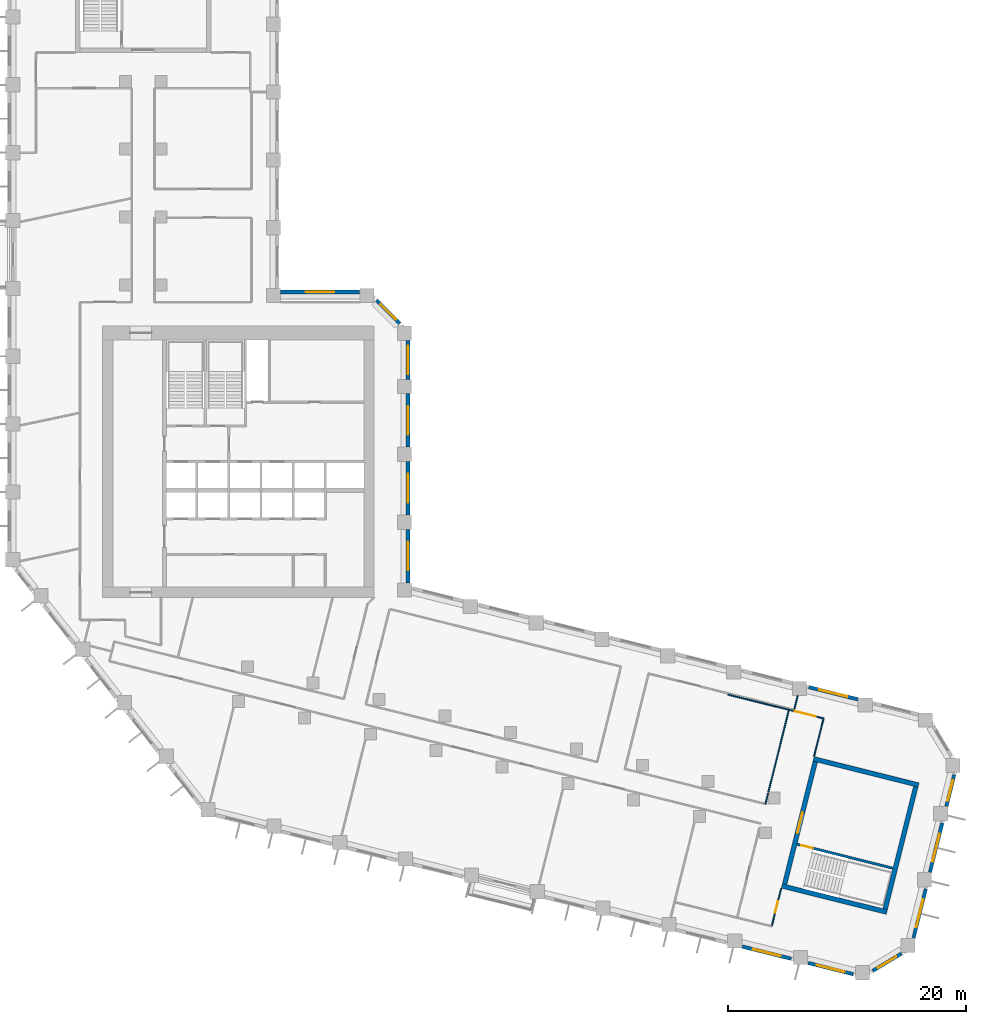
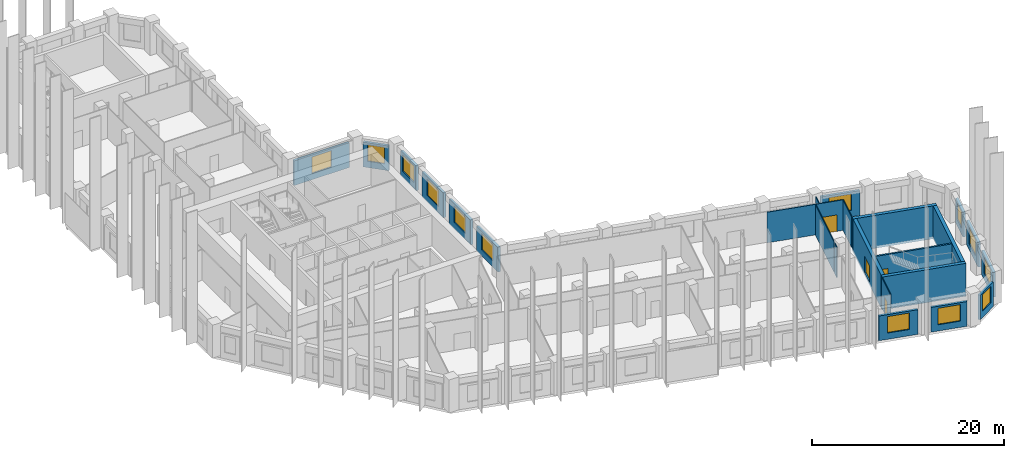
# One storey, part 6 of 10: 25 walls, 13 windows, 4 doors, 17 openings.
"""IFC4 building model written with IfcOpenShell, lengths in metres."""

from ifc_helpers import new_model, si_unit, direction, frame, frame_2d, origin, place, context, subcontext, project, spatial, rectangle, extrude, material, layer, layer_set, type_object, element, fill, save


model = new_model("IFC4")

# Units and contexts
model_context = context("Model", 3, precision=1e-05, world=origin(), true_north=direction((0.0, 1.0)))
body_context = subcontext(model_context, "Body", "Model", "MODEL_VIEW")
ifc_project = project(units=[si_unit("LENGTHUNIT", "METRE"), si_unit("AREAUNIT", "SQUARE_METRE"), si_unit("VOLUMEUNIT", "CUBIC_METRE"), si_unit("PLANEANGLEUNIT", "RADIAN"), si_unit("MASSUNIT", "GRAM", prefix="KILO")], contexts=[model_context])

# Site, building, storey
site_placement = place(None, origin())
site = spatial("IfcSite", under=ifc_project, at=site_placement, CompositionType="ELEMENT")
building_placement = place(site_placement, origin())
building = spatial("IfcBuilding", under=site, at=building_placement, Name="Meshkara Civic Tower", CompositionType="ELEMENT")
storey_placement = place(building_placement, frame((0.0, 0.0, 178.199951171875)))
storey = spatial("IfcBuildingStorey", under=building, at=storey_placement, Name="L40", CompositionType="ELEMENT", Elevation=178.199951171875)

# Wall
ifc_material_1 = material(Name="Corridor wall 100")
ifc_layer_1 = layer(ifc_material_1, 0.10009765625)
ifc_layer_set_1 = layer_set([ifc_layer_1], Name="Corridor wall 100")
wall_type_1 = type_object("IfcWallType", Name="Corridor wall 100", PredefinedType="PARTITIONING", material=ifc_layer_set_1)
wall_1_placement = place(storey_placement, frame((63.89501953125, -2.37109375, 0.0), z_axis=(0.0, 0.0, 1.0), x_axis=(-0.241969389514, -0.970283883478, 0.0)))
element("IfcWall", 1, at=wall_1_placement, inside=storey, type_object=wall_type_1, Name="L40-W037", PredefinedType="PARTITIONING", context=body_context, shape_type="SweptSolid", body=[
    extrude(rectangle(XDim=0.9130859375, YDim=0.10009765625, at=frame_2d((0.45654296875, 0.0))), origin(), (0.0, 0.0, 1.0), 3.900146484375),
])

# Wall, opening, door
wall_2_placement = place(storey_placement, frame((64.202880859375, -13.533935546875, 0.0), z_axis=(0.0, 0.0, 1.0), x_axis=(0.241856645367, 0.970311992656, 0.0)))
wall_2 = element("IfcWall", 2, at=wall_2_placement, inside=storey, type_object=wall_type_1, Name="L40-W038", PredefinedType="PARTITIONING", context=body_context, shape_type="SweptSolid", body=[
    extrude(rectangle(XDim=3.2998046875, YDim=0.10009765625, at=frame_2d((1.64990234375, 0.0))), origin(), (0.0, 0.0, 1.0), 3.900146484375),
])
opening_1_placement = place(wall_2_placement, frame((1.179931640625, 0.0, 0.0)))
opening_1 = element("IfcOpeningElement", 3, at=opening_1_placement, cuts=wall_2, Name="Opening L40-D002", PredefinedType="OPENING", context=body_context, shape_type="SweptSolid", body=[
    extrude(rectangle(XDim=1.0, YDim=2.10009765625, at=frame_2d((0.5, 1.050048828125))), frame((0.0, 0.06005859375, 0.0), z_axis=(0.0, -1.0, 0.0), x_axis=(1.0, 0.0, 0.0)), (0.0, 0.0, 1.0), 0.1201171875),
])
ifc_material_2 = material(Name="Door 1000 x 2100")
door_type_1 = type_object("IfcDoorType", Name="Door 1000 x 2100", OperationType="SINGLE_SWING_LEFT", PredefinedType="DOOR", material=ifc_material_2)
door_1_placement = place(opening_1_placement, origin())
door_1 = element("IfcDoor", 4, at=door_1_placement, inside=storey, type_object=door_type_1, Name="L40-D002", OperationType="SINGLE_SWING_LEFT", OverallHeight=2.10009765625, OverallWidth=1.0, PredefinedType="DOOR", context=body_context, shape_type="SweptSolid", body=[
    extrude(rectangle(XDim=1.0, YDim=2.10009765625, at=frame_2d((0.5, 1.050048828125))), frame((0.0, 0.02490234375, 0.0), z_axis=(0.0, -1.0, 0.0), x_axis=(1.0, 0.0, 0.0)), (0.0, 0.0, 1.0), 0.050048828125),
])
fill(opening_1, door_1)

# Walls
wall_3_placement = place(storey_placement, frame((65.64697265625, 4.656982421875, 0.0), z_axis=(0.0, 0.0, 1.0), x_axis=(-0.24192324031, -0.970295391001, 0.0)))
element("IfcWall", 5, at=wall_3_placement, inside=storey, type_object=wall_type_1, Name="L40-W039", PredefinedType="PARTITIONING", context=body_context, shape_type="SweptSolid", body=[
    extrude(rectangle(XDim=7.129638671875, YDim=0.10009765625, at=frame_2d((3.56494140625, 0.0))), origin(), (0.0, 0.0, 1.0), 3.900146484375),
])
wall_4_placement = place(storey_placement, frame((66.0869140625, 4.64990234375, 0.0), z_axis=(0.0, 0.0, 1.0), x_axis=(0.241275920452, 0.970456557611, 0.0)))
element("IfcWall", 6, at=wall_4_placement, inside=storey, type_object=wall_type_1, Name="L40-W040", PredefinedType="PARTITIONING", context=body_context, shape_type="SweptSolid", body=[
    extrude(rectangle(XDim=1.2314453125, YDim=0.10009765625, at=frame_2d((0.61572265625, 0.0))), origin(), (0.0, 0.0, 1.0), 3.900146484375),
])
wall_5_placement = place(storey_placement, frame((67.759033203125, 0.72900390625, 0.0), z_axis=(0.0, 0.0, 1.0), x_axis=(0.241786986316, 0.970329352977, 0.0)))
element("IfcWall", 7, at=wall_5_placement, inside=storey, type_object=wall_type_1, Name="L40-W041", PredefinedType="PARTITIONING", context=body_context, shape_type="SweptSolid", body=[
    extrude(rectangle(XDim=3.2998046875, YDim=0.10009765625, at=frame_2d((1.64990234375, 0.0))), origin(), (0.0, 0.0, 1.0), 3.900146484375),
])

# Wall, opening, door
wall_6_placement = place(storey_placement, frame((68.556884765625, 3.930908203125, 0.0), z_axis=(0.0, 0.0, 1.0), x_axis=(-0.970252534748, 0.242095061527, 0.0)))
wall_6 = element("IfcWall", 8, at=wall_6_placement, inside=storey, type_object=wall_type_1, Name="L40-W042", PredefinedType="PARTITIONING", context=body_context, shape_type="SweptSolid", body=[
    extrude(rectangle(XDim=2.9990234375, YDim=0.10009765625, at=frame_2d((1.49951171875, 0.0))), origin(), (0.0, 0.0, 1.0), 3.900146484375),
])
opening_2_placement = place(wall_6_placement, frame((0.679931640625, 0.0, 0.0)))
opening_2 = element("IfcOpeningElement", 9, at=opening_2_placement, cuts=wall_6, Name="Opening L40-D008", PredefinedType="OPENING", context=body_context, shape_type="SweptSolid", body=[
    extrude(rectangle(XDim=1.800048828125, YDim=2.10009765625, at=frame_2d((0.89990234375, 1.050048828125))), frame((0.0, 0.06005859375, 0.0), z_axis=(0.0, -1.0, 0.0), x_axis=(1.0, 0.0, 0.0)), (0.0, 0.0, 1.0), 0.1201171875),
])
ifc_material_3 = material(Name="Door pair 1800 x 2100")
door_type_2 = type_object("IfcDoorType", Name="Door pair 1800 x 2100", OperationType="SINGLE_SWING_LEFT", PredefinedType="DOOR", material=ifc_material_3)
door_2_placement = place(opening_2_placement, origin())
door_2 = element("IfcDoor", 10, at=door_2_placement, inside=storey, type_object=door_type_2, Name="L40-D008", OperationType="DOUBLE_DOOR_SINGLE_SWING", OverallHeight=2.10009765625, OverallWidth=1.800048828125, PredefinedType="DOOR", context=body_context, shape_type="SweptSolid", body=[
    extrude(rectangle(XDim=1.800048828125, YDim=2.10009765625, at=frame_2d((0.89990234375, 1.050048828125))), frame((0.0, 0.02490234375, 0.0), z_axis=(0.0, -1.0, 0.0), x_axis=(1.0, 0.0, 0.0)), (0.0, 0.0, 1.0), 0.050048828125),
])
fill(opening_2, door_2)

# Wall, opening, window
ifc_material_4 = material(Name="Insulated infill panel with bronze anodised aluminium cladding", Category="aluminium")
ifc_layer_2 = layer(ifc_material_4, 0.300048828125)
ifc_layer_set_2 = layer_set([ifc_layer_2], Name="EXTERNAL INFILL WALL 300")
wall_type_2 = type_object("IfcWallType", Name="EXTERNAL INFILL WALL 300", PredefinedType="SOLIDWALL", material=ifc_layer_set_2)
wall_7_placement = place(storey_placement, frame((71.431884765625, 5.532958984375, 0.0), z_axis=(0.0, 0.0, 1.0), x_axis=(-0.970301260502, 0.241899697951, 0.0)))
wall_7 = element("IfcWall", 11, at=wall_7_placement, inside=storey, type_object=wall_type_2, Name="External wall", PredefinedType="SOLIDWALL", context=body_context, shape_type="SweptSolid", body=[
    extrude(rectangle(XDim=4.24609375, YDim=0.300048828125, at=frame_2d((2.123046875, 0.0))), origin(), (0.0, 0.0, 1.0), 3.150146484375),
])
opening_3_placement = place(wall_7_placement, frame((0.923095703125, 0.0, 0.800048828125)))
opening_3 = element("IfcOpeningElement", 12, at=opening_3_placement, cuts=wall_7, Name="Opening W7", PredefinedType="OPENING", context=body_context, shape_type="SweptSolid", body=[
    extrude(rectangle(XDim=2.39990234375, YDim=2.10009765625, at=frame_2d((1.199951171875, 1.050048828125))), frame((0.0, 0.159912109375, 0.0), z_axis=(0.0, -1.0, 0.0), x_axis=(1.0, 0.0, 0.0)), (0.0, 0.0, 1.0), 0.320068359375),
])
ifc_material_5 = material(Name="Tinted double glazing", Category="glass")
window_type_1 = type_object("IfcWindowType", Name="WINDOW 2400x2100", PartitioningType="DOUBLE_PANEL_VERTICAL", PredefinedType="WINDOW", material=ifc_material_5)
window_1_placement = place(opening_3_placement, origin())
window_1 = element("IfcWindow", 13, at=window_1_placement, inside=storey, type_object=window_type_1, Name="Window", OverallHeight=2.10009765625, OverallWidth=2.39990234375, PartitioningType="DOUBLE_PANEL_VERTICAL", PredefinedType="WINDOW", context=body_context, shape_type="SweptSolid", body=[
    extrude(rectangle(XDim=2.39990234375, YDim=2.10009765625, at=frame_2d((1.199951171875, 1.050048828125))), frame((0.0, 0.030029296875, 0.0), z_axis=(0.0, -1.0, 0.0), x_axis=(1.0, 0.0, 0.0)), (0.0, 0.0, 1.0), 0.06005859375),
])
fill(opening_3, window_1)

wall_8_placement = place(storey_placement, frame((33.64990234375, 15.319091796875, 0.0), z_axis=(0.0, 0.0, 1.0), x_axis=(0.0, 1.0, 0.0)))
wall_8 = element("IfcWall", 14, at=wall_8_placement, inside=storey, type_object=wall_type_2, Name="External wall", PredefinedType="SOLIDWALL", context=body_context, shape_type="SweptSolid", body=[
    extrude(rectangle(XDim=4.5, YDim=0.300048828125, at=frame_2d((2.25, 0.0))), origin(), (0.0, 0.0, 1.0), 3.150146484375),
])
opening_4_placement = place(wall_8_placement, frame((1.050048828125, 0.0, 0.800048828125)))
opening_4 = element("IfcOpeningElement", 15, at=opening_4_placement, cuts=wall_8, Name="Opening W7", PredefinedType="OPENING", context=body_context, shape_type="SweptSolid", body=[
    extrude(rectangle(XDim=2.39990234375, YDim=2.10009765625, at=frame_2d((1.199951171875, 1.050048828125))), frame((0.0, 0.159912109375, 0.0), z_axis=(0.0, -1.0, 0.0), x_axis=(1.0, 0.0, 0.0)), (0.0, 0.0, 1.0), 0.320068359375),
])
window_2_placement = place(opening_4_placement, origin())
window_2 = element("IfcWindow", 16, at=window_2_placement, inside=storey, type_object=window_type_1, Name="Window", OverallHeight=2.10009765625, OverallWidth=2.39990234375, PartitioningType="DOUBLE_PANEL_VERTICAL", PredefinedType="WINDOW", context=body_context, shape_type="SweptSolid", body=[
    extrude(rectangle(XDim=2.39990234375, YDim=2.10009765625, at=frame_2d((1.199951171875, 1.050048828125))), frame((0.0, 0.030029296875, 0.0), z_axis=(0.0, -1.0, 0.0), x_axis=(1.0, 0.0, 0.0)), (0.0, 0.0, 1.0), 0.06005859375),
])
fill(opening_4, window_2)

wall_9_placement = place(storey_placement, frame((33.64990234375, 21.01904296875, 0.0), z_axis=(0.0, 0.0, 1.0), x_axis=(0.0, 1.0, 0.0)))
wall_9 = element("IfcWall", 17, at=wall_9_placement, inside=storey, type_object=wall_type_2, Name="External wall", PredefinedType="SOLIDWALL", context=body_context, shape_type="SweptSolid", body=[
    extrude(rectangle(XDim=4.5, YDim=0.300048828125, at=frame_2d((2.25, 0.0))), origin(), (0.0, 0.0, 1.0), 3.150146484375),
])
opening_5_placement = place(wall_9_placement, frame((1.050048828125, 0.0, 0.800048828125)))
opening_5 = element("IfcOpeningElement", 18, at=opening_5_placement, cuts=wall_9, Name="Opening W7", PredefinedType="OPENING", context=body_context, shape_type="SweptSolid", body=[
    extrude(rectangle(XDim=2.39990234375, YDim=2.10009765625, at=frame_2d((1.199951171875, 1.050048828125))), frame((0.0, 0.159912109375, 0.0), z_axis=(0.0, -1.0, 0.0), x_axis=(1.0, 0.0, 0.0)), (0.0, 0.0, 1.0), 0.320068359375),
])
window_3_placement = place(opening_5_placement, origin())
window_3 = element("IfcWindow", 19, at=window_3_placement, inside=storey, type_object=window_type_1, Name="Window", OverallHeight=2.10009765625, OverallWidth=2.39990234375, PartitioningType="DOUBLE_PANEL_VERTICAL", PredefinedType="WINDOW", context=body_context, shape_type="SweptSolid", body=[
    extrude(rectangle(XDim=2.39990234375, YDim=2.10009765625, at=frame_2d((1.199951171875, 1.050048828125))), frame((0.0, 0.030029296875, 0.0), z_axis=(0.0, -1.0, 0.0), x_axis=(1.0, 0.0, 0.0)), (0.0, 0.0, 1.0), 0.06005859375),
])
fill(opening_5, window_3)

wall_10_placement = place(storey_placement, frame((33.64990234375, 26.718994140625, 0.0), z_axis=(0.0, 0.0, 1.0), x_axis=(0.0, 1.0, 0.0)))
wall_10 = element("IfcWall", 20, at=wall_10_placement, inside=storey, type_object=wall_type_2, Name="External wall", PredefinedType="SOLIDWALL", context=body_context, shape_type="SweptSolid", body=[
    extrude(rectangle(XDim=4.5, YDim=0.300048828125, at=frame_2d((2.25, 0.0))), origin(), (0.0, 0.0, 1.0), 3.150146484375),
])
opening_6_placement = place(wall_10_placement, frame((1.050048828125, 0.0, 0.800048828125)))
opening_6 = element("IfcOpeningElement", 21, at=opening_6_placement, cuts=wall_10, Name="Opening W7", PredefinedType="OPENING", context=body_context, shape_type="SweptSolid", body=[
    extrude(rectangle(XDim=2.39990234375, YDim=2.10009765625, at=frame_2d((1.199951171875, 1.050048828125))), frame((0.0, 0.159912109375, 0.0), z_axis=(0.0, -1.0, 0.0), x_axis=(1.0, 0.0, 0.0)), (0.0, 0.0, 1.0), 0.320068359375),
])
window_4_placement = place(opening_6_placement, origin())
window_4 = element("IfcWindow", 22, at=window_4_placement, inside=storey, type_object=window_type_1, Name="Window", OverallHeight=2.10009765625, OverallWidth=2.39990234375, PartitioningType="DOUBLE_PANEL_VERTICAL", PredefinedType="WINDOW", context=body_context, shape_type="SweptSolid", body=[
    extrude(rectangle(XDim=2.39990234375, YDim=2.10009765625, at=frame_2d((1.199951171875, 1.050048828125))), frame((0.0, 0.030029296875, 0.0), z_axis=(0.0, -1.0, 0.0), x_axis=(1.0, 0.0, 0.0)), (0.0, 0.0, 1.0), 0.06005859375),
])
fill(opening_6, window_4)

wall_11_placement = place(storey_placement, frame((33.64990234375, 32.4189453125, 0.0), z_axis=(0.0, 0.0, 1.0), x_axis=(0.0, 1.0, 0.0)))
wall_11 = element("IfcWall", 23, at=wall_11_placement, inside=storey, type_object=wall_type_2, Name="External wall", PredefinedType="SOLIDWALL", context=body_context, shape_type="SweptSolid", body=[
    extrude(rectangle(XDim=3.275146484375, YDim=0.300048828125, at=frame_2d((1.6376953125, 0.0))), origin(), (0.0, 0.0, 1.0), 3.150146484375),
])
opening_7_placement = place(wall_11_placement, frame((0.43798828125, 0.0, 0.800048828125)))
opening_7 = element("IfcOpeningElement", 24, at=opening_7_placement, cuts=wall_11, Name="Opening W7", PredefinedType="OPENING", context=body_context, shape_type="SweptSolid", body=[
    extrude(rectangle(XDim=2.39990234375, YDim=2.10009765625, at=frame_2d((1.199951171875, 1.050048828125))), frame((0.0, 0.159912109375, 0.0), z_axis=(0.0, -1.0, 0.0), x_axis=(1.0, 0.0, 0.0)), (0.0, 0.0, 1.0), 0.320068359375),
])
window_5_placement = place(opening_7_placement, origin())
window_5 = element("IfcWindow", 25, at=window_5_placement, inside=storey, type_object=window_type_1, Name="Window", OverallHeight=2.10009765625, OverallWidth=2.39990234375, PartitioningType="DOUBLE_PANEL_VERTICAL", PredefinedType="WINDOW", context=body_context, shape_type="SweptSolid", body=[
    extrude(rectangle(XDim=2.39990234375, YDim=2.10009765625, at=frame_2d((1.199951171875, 1.050048828125))), frame((0.0, 0.030029296875, 0.0), z_axis=(0.0, -1.0, 0.0), x_axis=(1.0, 0.0, 0.0)), (0.0, 0.0, 1.0), 0.06005859375),
])
fill(opening_7, window_5)

wall_12_placement = place(storey_placement, frame((32.9619140625, 37.10595703125, 0.0), z_axis=(0.0, 0.0, 1.0), x_axis=(-0.707062649074, 0.707150910545, 0.0)))
wall_12 = element("IfcWall", 26, at=wall_12_placement, inside=storey, type_object=wall_type_2, Name="External wall", PredefinedType="SOLIDWALL", context=body_context, shape_type="SweptSolid", body=[
    extrude(rectangle(XDim=2.76611328125, YDim=0.300048828125, at=frame_2d((1.383056640625, 0.0))), origin(), (0.0, 0.0, 1.0), 3.150146484375),
])
opening_8_placement = place(wall_12_placement, frame((0.48291015625, 0.0, 0.800048828125)))
opening_8 = element("IfcOpeningElement", 27, at=opening_8_placement, cuts=wall_12, Name="Opening W9", PredefinedType="OPENING", context=body_context, shape_type="SweptSolid", body=[
    extrude(rectangle(XDim=1.800048828125, YDim=2.10009765625, at=frame_2d((0.89990234375, 1.050048828125))), frame((0.0, 0.159912109375, 0.0), z_axis=(0.0, -1.0, 0.0), x_axis=(1.0, 0.0, 0.0)), (0.0, 0.0, 1.0), 0.320068359375),
])
ifc_material_6 = material(Name="Tinted double glazing", Category="glass")
window_type_2 = type_object("IfcWindowType", Name="WINDOW 1800x2100", PartitioningType="DOUBLE_PANEL_VERTICAL", PredefinedType="WINDOW", material=ifc_material_6)
window_6_placement = place(opening_8_placement, origin())
window_6 = element("IfcWindow", 28, at=window_6_placement, inside=storey, type_object=window_type_2, Name="Window", OverallHeight=2.10009765625, OverallWidth=1.800048828125, PartitioningType="DOUBLE_PANEL_VERTICAL", PredefinedType="WINDOW", context=body_context, shape_type="SweptSolid", body=[
    extrude(rectangle(XDim=1.800048828125, YDim=2.10009765625, at=frame_2d((0.89990234375, 1.050048828125))), frame((0.0, 0.030029296875, 0.0), z_axis=(0.0, -1.0, 0.0), x_axis=(1.0, 0.0, 0.0)), (0.0, 0.0, 1.0), 0.06005859375),
])
fill(opening_8, window_6)

wall_13_placement = place(storey_placement, frame((29.593994140625, 39.75, 0.0), z_axis=(0.0, 0.0, 1.0), x_axis=(-1.0, 0.0, 0.0)))
wall_13 = element("IfcWall", 29, at=wall_13_placement, inside=storey, type_object=wall_type_2, Name="External wall", PredefinedType="SOLIDWALL", context=body_context, shape_type="SweptSolid", body=[
    extrude(rectangle(XDim=6.64404296875, YDim=0.300048828125, at=frame_2d((3.322021484375, 0.0))), origin(), (0.0, 0.0, 1.0), 3.150146484375),
])
opening_9_placement = place(wall_13_placement, frame((2.1220703125, 0.0, 0.800048828125)))
opening_9 = element("IfcOpeningElement", 30, at=opening_9_placement, cuts=wall_13, Name="Opening W7", PredefinedType="OPENING", context=body_context, shape_type="SweptSolid", body=[
    extrude(rectangle(XDim=2.39990234375, YDim=2.10009765625, at=frame_2d((1.199951171875, 1.050048828125))), frame((0.0, 0.159912109375, 0.0), z_axis=(0.0, -1.0, 0.0), x_axis=(1.0, 0.0, 0.0)), (0.0, 0.0, 1.0), 0.320068359375),
])
window_7_placement = place(opening_9_placement, origin())
window_7 = element("IfcWindow", 31, at=window_7_placement, inside=storey, type_object=window_type_1, Name="Window", OverallHeight=2.10009765625, OverallWidth=2.39990234375, PartitioningType="DOUBLE_PANEL_VERTICAL", PredefinedType="WINDOW", context=body_context, shape_type="SweptSolid", body=[
    extrude(rectangle(XDim=2.39990234375, YDim=2.10009765625, at=frame_2d((1.199951171875, 1.050048828125))), frame((0.0, 0.030029296875, 0.0), z_axis=(0.0, -1.0, 0.0), x_axis=(1.0, 0.0, 0.0)), (0.0, 0.0, 1.0), 0.06005859375),
])
fill(opening_9, window_7)

wall_14_placement = place(storey_placement, frame((61.72998046875, -15.236083984375, 0.0), z_axis=(0.0, 0.0, 1.0), x_axis=(0.970304663212, -0.241886048688, 0.0)))
wall_14 = element("IfcWall", 32, at=wall_14_placement, inside=storey, type_object=wall_type_2, Name="External wall", PredefinedType="SOLIDWALL", context=body_context, shape_type="SweptSolid", body=[
    extrude(rectangle(XDim=4.2451171875, YDim=0.300048828125, at=frame_2d((2.12255859375, 0.0))), origin(), (0.0, 0.0, 1.0), 3.150146484375),
])
opening_10_placement = place(wall_14_placement, frame((0.922119140625, 0.0, 0.800048828125)))
opening_10 = element("IfcOpeningElement", 33, at=opening_10_placement, cuts=wall_14, Name="Opening W7", PredefinedType="OPENING", context=body_context, shape_type="SweptSolid", body=[
    extrude(rectangle(XDim=2.39990234375, YDim=2.10009765625, at=frame_2d((1.199951171875, 1.050048828125))), frame((0.0, 0.159912109375, 0.0), z_axis=(0.0, -1.0, 0.0), x_axis=(1.0, 0.0, 0.0)), (0.0, 0.0, 1.0), 0.320068359375),
])
window_8_placement = place(opening_10_placement, origin())
window_8 = element("IfcWindow", 34, at=window_8_placement, inside=storey, type_object=window_type_1, Name="Window", OverallHeight=2.10009765625, OverallWidth=2.39990234375, PartitioningType="DOUBLE_PANEL_VERTICAL", PredefinedType="WINDOW", context=body_context, shape_type="SweptSolid", body=[
    extrude(rectangle(XDim=2.39990234375, YDim=2.10009765625, at=frame_2d((1.199951171875, 1.050048828125))), frame((0.0, 0.030029296875, 0.0), z_axis=(0.0, -1.0, 0.0), x_axis=(1.0, 0.0, 0.0)), (0.0, 0.0, 1.0), 0.06005859375),
])
fill(opening_10, window_8)

wall_15_placement = place(storey_placement, frame((67.260009765625, -16.614990234375, 0.0), z_axis=(0.0, 0.0, 1.0), x_axis=(0.97033344074, -0.241770580885, 0.0)))
wall_15 = element("IfcWall", 35, at=wall_15_placement, inside=storey, type_object=wall_type_2, Name="External wall", PredefinedType="SOLIDWALL", context=body_context, shape_type="SweptSolid", body=[
    extrude(rectangle(XDim=3.905029296875, YDim=0.300048828125, at=frame_2d((1.95263671875, 0.0))), origin(), (0.0, 0.0, 1.0), 3.150146484375),
])
opening_11_placement = place(wall_15_placement, frame((0.751953125, 0.0, 0.800048828125)))
opening_11 = element("IfcOpeningElement", 36, at=opening_11_placement, cuts=wall_15, Name="Opening W7", PredefinedType="OPENING", context=body_context, shape_type="SweptSolid", body=[
    extrude(rectangle(XDim=2.39990234375, YDim=2.10009765625, at=frame_2d((1.199951171875, 1.050048828125))), frame((0.0, 0.159912109375, 0.0), z_axis=(0.0, -1.0, 0.0), x_axis=(1.0, 0.0, 0.0)), (0.0, 0.0, 1.0), 0.320068359375),
])
window_9_placement = place(opening_11_placement, origin())
window_9 = element("IfcWindow", 37, at=window_9_placement, inside=storey, type_object=window_type_1, Name="Window", OverallHeight=2.10009765625, OverallWidth=2.39990234375, PartitioningType="DOUBLE_PANEL_VERTICAL", PredefinedType="WINDOW", context=body_context, shape_type="SweptSolid", body=[
    extrude(rectangle(XDim=2.39990234375, YDim=2.10009765625, at=frame_2d((1.199951171875, 1.050048828125))), frame((0.0, 0.030029296875, 0.0), z_axis=(0.0, -1.0, 0.0), x_axis=(1.0, 0.0, 0.0)), (0.0, 0.0, 1.0), 0.06005859375),
])
fill(opening_11, window_9)

wall_16_placement = place(storey_placement, frame((72.68701171875, -17.277099609375, 0.0), z_axis=(0.0, 0.0, 1.0), x_axis=(0.857309341171, 0.514801606, 0.0)))
wall_16 = element("IfcWall", 38, at=wall_16_placement, inside=storey, type_object=wall_type_2, Name="External wall", PredefinedType="SOLIDWALL", context=body_context, shape_type="SweptSolid", body=[
    extrude(rectangle(XDim=2.81689453125, YDim=0.300048828125, at=frame_2d((1.408447265625, 0.0))), origin(), (0.0, 0.0, 1.0), 3.150146484375),
])
opening_12_placement = place(wall_16_placement, frame((0.508056640625, 0.0, 0.800048828125)))
opening_12 = element("IfcOpeningElement", 39, at=opening_12_placement, cuts=wall_16, Name="Opening W9", PredefinedType="OPENING", context=body_context, shape_type="SweptSolid", body=[
    extrude(rectangle(XDim=1.800048828125, YDim=2.10009765625, at=frame_2d((0.89990234375, 1.050048828125))), frame((0.0, 0.159912109375, 0.0), z_axis=(0.0, -1.0, 0.0), x_axis=(1.0, 0.0, 0.0)), (0.0, 0.0, 1.0), 0.320068359375),
])
window_10_placement = place(opening_12_placement, origin())
window_10 = element("IfcWindow", 40, at=window_10_placement, inside=storey, type_object=window_type_2, Name="Window", OverallHeight=2.10009765625, OverallWidth=1.800048828125, PartitioningType="DOUBLE_PANEL_VERTICAL", PredefinedType="WINDOW", context=body_context, shape_type="SweptSolid", body=[
    extrude(rectangle(XDim=1.800048828125, YDim=2.10009765625, at=frame_2d((0.89990234375, 1.050048828125))), frame((0.0, 0.030029296875, 0.0), z_axis=(0.0, -1.0, 0.0), x_axis=(1.0, 0.0, 0.0)), (0.0, 0.0, 1.0), 0.06005859375),
])
fill(opening_12, window_10)

wall_17_placement = place(storey_placement, frame((76.12109375, -14.511962890625, 0.0), z_axis=(0.0, 0.0, 1.0), x_axis=(0.241845562088, 0.970314755169, 0.0)))
wall_17 = element("IfcWall", 41, at=wall_17_placement, inside=storey, type_object=wall_type_2, Name="External wall", PredefinedType="SOLIDWALL", context=body_context, shape_type="SweptSolid", body=[
    extrude(rectangle(XDim=4.245849609375, YDim=0.300048828125, at=frame_2d((2.123046875, 0.0))), origin(), (0.0, 0.0, 1.0), 3.150146484375),
])
opening_13_placement = place(wall_17_placement, frame((0.923095703125, 0.0, 0.800048828125)))
opening_13 = element("IfcOpeningElement", 42, at=opening_13_placement, cuts=wall_17, Name="Opening W7", PredefinedType="OPENING", context=body_context, shape_type="SweptSolid", body=[
    extrude(rectangle(XDim=2.39990234375, YDim=2.10009765625, at=frame_2d((1.199951171875, 1.050048828125))), frame((0.0, 0.159912109375, 0.0), z_axis=(0.0, -1.0, 0.0), x_axis=(1.0, 0.0, 0.0)), (0.0, 0.0, 1.0), 0.320068359375),
])
window_11_placement = place(opening_13_placement, origin())
window_11 = element("IfcWindow", 43, at=window_11_placement, inside=storey, type_object=window_type_1, Name="Window", OverallHeight=2.10009765625, OverallWidth=2.39990234375, PartitioningType="DOUBLE_PANEL_VERTICAL", PredefinedType="WINDOW", context=body_context, shape_type="SweptSolid", body=[
    extrude(rectangle(XDim=2.39990234375, YDim=2.10009765625, at=frame_2d((1.199951171875, 1.050048828125))), frame((0.0, 0.030029296875, 0.0), z_axis=(0.0, -1.0, 0.0), x_axis=(1.0, 0.0, 0.0)), (0.0, 0.0, 1.0), 0.06005859375),
])
fill(opening_13, window_11)

wall_18_placement = place(storey_placement, frame((77.5, -8.98095703125, 0.0), z_axis=(0.0, 0.0, 1.0), x_axis=(0.241682938765, 0.970355273655, 0.0)))
wall_18 = element("IfcWall", 44, at=wall_18_placement, inside=storey, type_object=wall_type_2, Name="External wall", PredefinedType="SOLIDWALL", context=body_context, shape_type="SweptSolid", body=[
    extrude(rectangle(XDim=4.24462890625, YDim=0.300048828125, at=frame_2d((2.122314453125, 0.0))), origin(), (0.0, 0.0, 1.0), 3.150146484375),
])
opening_14_placement = place(wall_18_placement, frame((0.922119140625, 0.0, 0.800048828125)))
opening_14 = element("IfcOpeningElement", 45, at=opening_14_placement, cuts=wall_18, Name="Opening W7", PredefinedType="OPENING", context=body_context, shape_type="SweptSolid", body=[
    extrude(rectangle(XDim=2.39990234375, YDim=2.10009765625, at=frame_2d((1.199951171875, 1.050048828125))), frame((0.0, 0.159912109375, 0.0), z_axis=(0.0, -1.0, 0.0), x_axis=(1.0, 0.0, 0.0)), (0.0, 0.0, 1.0), 0.320068359375),
])
window_12_placement = place(opening_14_placement, origin())
window_12 = element("IfcWindow", 46, at=window_12_placement, inside=storey, type_object=window_type_1, Name="Window", OverallHeight=2.10009765625, OverallWidth=2.39990234375, PartitioningType="DOUBLE_PANEL_VERTICAL", PredefinedType="WINDOW", context=body_context, shape_type="SweptSolid", body=[
    extrude(rectangle(XDim=2.39990234375, YDim=2.10009765625, at=frame_2d((1.199951171875, 1.050048828125))), frame((0.0, 0.030029296875, 0.0), z_axis=(0.0, -1.0, 0.0), x_axis=(1.0, 0.0, 0.0)), (0.0, 0.0, 1.0), 0.06005859375),
])
fill(opening_14, window_12)

wall_19_placement = place(storey_placement, frame((78.8779296875, -3.450927734375, 0.0), z_axis=(0.0, 0.0, 1.0), x_axis=(0.24190501074, 0.970299935988, 0.0)))
wall_19 = element("IfcWall", 47, at=wall_19_placement, inside=storey, type_object=wall_type_2, Name="External wall", PredefinedType="SOLIDWALL", context=body_context, shape_type="SweptSolid", body=[
    extrude(rectangle(XDim=2.73291015625, YDim=0.300048828125, at=frame_2d((1.366455078125, 0.0))), origin(), (0.0, 0.0, 1.0), 3.150146484375),
])
opening_15_placement = place(wall_19_placement, frame((0.466064453125, 0.0, 0.800048828125)))
opening_15 = element("IfcOpeningElement", 48, at=opening_15_placement, cuts=wall_19, Name="Opening W9", PredefinedType="OPENING", context=body_context, shape_type="SweptSolid", body=[
    extrude(rectangle(XDim=1.800048828125, YDim=2.10009765625, at=frame_2d((0.89990234375, 1.050048828125))), frame((0.0, 0.159912109375, 0.0), z_axis=(0.0, -1.0, 0.0), x_axis=(1.0, 0.0, 0.0)), (0.0, 0.0, 1.0), 0.320068359375),
])
window_13_placement = place(opening_15_placement, origin())
window_13 = element("IfcWindow", 49, at=window_13_placement, inside=storey, type_object=window_type_2, Name="Window", OverallHeight=2.10009765625, OverallWidth=1.800048828125, PartitioningType="DOUBLE_PANEL_VERTICAL", PredefinedType="WINDOW", context=body_context, shape_type="SweptSolid", body=[
    extrude(rectangle(XDim=1.800048828125, YDim=2.10009765625, at=frame_2d((0.89990234375, 1.050048828125))), frame((0.0, 0.030029296875, 0.0), z_axis=(0.0, -1.0, 0.0), x_axis=(1.0, 0.0, 0.0)), (0.0, 0.0, 1.0), 0.06005859375),
])
fill(opening_15, window_13)

# Walls
ifc_material_7 = material(Name="Concrete C70", Category="concrete")
ifc_layer_3 = layer(ifc_material_7, 0.39990234375)
ifc_layer_set_3 = layer_set([ifc_layer_3], Name="End core ring wall 400 C70")
wall_type_3 = type_object("IfcWallType", Name="End core ring wall 400 C70", PredefinedType="SHEAR", material=ifc_layer_set_3)
for number, where, z_axis, x_axis, name in (
    (50, (65.050048828125, -10.137939453125, -0.300048828125), (0.0, 0.0, 1.0), (0.970273354879, -0.242011604707, 0.0), "L40-C027"),
    (51, (67.7109375, 0.534912109375, -0.300048828125), (0.0, 0.0, 1.0), (0.970306418893, -0.241879005816, 0.0), "L40-C028"),
):
    element("IfcWall", number, at=place(storey_placement, frame(where, z_axis=z_axis, x_axis=x_axis)), inside=storey, type_object=wall_type_3, Name=name, PredefinedType="SHEAR", context=body_context, shape_type="SweptSolid", body=[
        extrude(rectangle(XDim=9.099365234375, YDim=0.39990234375, at=frame_2d((4.5498046875, 0.0))), origin(), (0.0, 0.0, 1.0), 4.2001953125),
    ])

# Wall, opening, door
wall_20_placement = place(storey_placement, frame((65.2919921875, -9.991943359375, -0.300048828125), z_axis=(0.0, 0.0, 1.0), x_axis=(0.241890652548, 0.970303515509, 0.0)))
wall_20 = element("IfcWall", 52, at=wall_20_placement, inside=storey, type_object=wall_type_3, Name="L40-C029", PredefinedType="SHEAR", context=body_context, shape_type="SweptSolid", body=[
    extrude(rectangle(XDim=10.599609375, YDim=0.39990234375, at=frame_2d((5.2998046875, 0.0))), origin(), (0.0, 0.0, 1.0), 4.2001953125),
])
opening_16_placement = place(wall_20_placement, frame((4.39990234375, 0.0, 0.300048828125)))
opening_16 = element("IfcOpeningElement", 53, at=opening_16_placement, cuts=wall_20, Name="Opening L40-K202", PredefinedType="OPENING", context=body_context, shape_type="SweptSolid", body=[
    extrude(rectangle(XDim=1.800048828125, YDim=2.10009765625, at=frame_2d((0.89990234375, 1.050048828125))), frame((0.0, 0.2099609375, 0.0), z_axis=(0.0, -1.0, 0.0), x_axis=(1.0, 0.0, 0.0)), (0.0, 0.0, 1.0), 0.419921875),
])
ifc_material_8 = material(Name="Fire-rated door leaf in steel frame", Category="steel")
door_type_3 = type_object("IfcDoorType", Name="Core double door 1800 EI 60", OperationType="DOUBLE_DOOR_SINGLE_SWING", PredefinedType="DOOR", material=ifc_material_8)
door_3_placement = place(opening_16_placement, origin())
door_3 = element("IfcDoor", 54, at=door_3_placement, inside=storey, type_object=door_type_3, Name="L40-K202", OperationType="DOUBLE_DOOR_SINGLE_SWING", OverallHeight=2.10009765625, OverallWidth=1.800048828125, PredefinedType="DOOR", context=body_context, shape_type="SweptSolid", body=[
    extrude(rectangle(XDim=1.800048828125, YDim=2.10009765625, at=frame_2d((0.89990234375, 1.050048828125))), frame((0.0, 0.02490234375, 0.0), z_axis=(0.0, -1.0, 0.0), x_axis=(1.0, 0.0, 0.0)), (0.0, 0.0, 1.0), 0.050048828125),
])
fill(opening_16, door_3)

# Walls
wall_21_placement = place(storey_placement, frame((73.73388671875, -12.096923828125, -0.300048828125), z_axis=(0.0, 0.0, 1.0), x_axis=(0.241912337509, 0.970298109326, 0.0)))
element("IfcWall", 55, at=wall_21_placement, inside=storey, type_object=wall_type_3, Name="L40-C030", PredefinedType="SHEAR", context=body_context, shape_type="SweptSolid", body=[
    extrude(rectangle(XDim=10.599853515625, YDim=0.39990234375, at=frame_2d((5.2998046875, 0.0))), origin(), (0.0, 0.0, 1.0), 4.2001953125),
])
ifc_material_9 = material(Name="Partition 100")
ifc_layer_4 = layer(ifc_material_9, 0.10009765625)
ifc_layer_set_4 = layer_set([ifc_layer_4], Name="Partition 100")
wall_type_4 = type_object("IfcWallType", Name="Partition 100", PredefinedType="PARTITIONING", material=ifc_layer_set_4)
wall_22_placement = place(storey_placement, frame((65.65087890625, 4.656005859375, 0.0), z_axis=(0.0, 0.0, 1.0), x_axis=(-0.970313758944, 0.241849559033, 0.0)))
element("IfcWall", 56, at=wall_22_placement, inside=storey, type_object=wall_type_4, Name="L40-W058", PredefinedType="PARTITIONING", context=body_context, shape_type="SweptSolid", body=[
    extrude(rectangle(XDim=5.275390625, YDim=0.10009765625, at=frame_2d((2.6376953125, 0.0))), origin(), (0.0, 0.0, 1.0), 3.900146484375),
])

# Wall, opening, door
ifc_material_10 = material(Name="Concrete C40/50", Category="concrete")
ifc_layer_5 = layer(ifc_material_10, 0.199951171875)
ifc_layer_set_5 = layer_set([ifc_layer_5], Name="Stair enclosure wall 200 C40/50")
wall_type_5 = type_object("IfcWallType", Name="Stair enclosure wall 200 C40/50", PredefinedType="SOLIDWALL", material=ifc_layer_set_5)
wall_23_placement = place(storey_placement, frame((66.3330078125, -6.64501953125, 0.0), z_axis=(0.0, 0.0, 1.0), x_axis=(0.970289402158, -0.241947258837, 0.0)))
wall_23 = element("IfcWall", 57, at=wall_23_placement, inside=storey, type_object=wall_type_5, Name="L40-C031", PredefinedType="SOLIDWALL", context=body_context, shape_type="SweptSolid", body=[
    extrude(rectangle(XDim=8.299560546875, YDim=0.199951171875, at=frame_2d((4.14990234375, 0.0))), origin(), (0.0, 0.0, 1.0), 3.900146484375),
])
opening_17_placement = place(wall_23_placement, frame((0.35009765625, 0.0, 0.0)))
opening_17 = element("IfcOpeningElement", 58, at=opening_17_placement, cuts=wall_23, Name="Opening L40-K201", PredefinedType="OPENING", context=body_context, shape_type="SweptSolid", body=[
    extrude(rectangle(XDim=1.0, YDim=2.10009765625, at=frame_2d((0.5, 1.050048828125))), frame((0.0, 0.10986328125, 0.0), z_axis=(0.0, -1.0, 0.0), x_axis=(1.0, 0.0, 0.0)), (0.0, 0.0, 1.0), 0.219970703125),
])
ifc_material_11 = material(Name="Fire-rated door leaf in steel frame", Category="steel")
door_type_4 = type_object("IfcDoorType", Name="Stair door 1000 EI 120", OperationType="SINGLE_SWING_LEFT", PredefinedType="DOOR", material=ifc_material_11)
door_4_placement = place(opening_17_placement, origin())
door_4 = element("IfcDoor", 59, at=door_4_placement, inside=storey, type_object=door_type_4, Name="L40-K201", OperationType="SINGLE_SWING_LEFT", OverallHeight=2.10009765625, OverallWidth=1.0, PredefinedType="DOOR", context=body_context, shape_type="SweptSolid", body=[
    extrude(rectangle(XDim=1.0, YDim=2.10009765625, at=frame_2d((0.5, 1.050048828125))), frame((0.0, 0.02490234375, 0.0), z_axis=(0.0, -1.0, 0.0), x_axis=(1.0, 0.0, 0.0)), (0.0, 0.0, 1.0), 0.050048828125),
])
fill(opening_17, door_4)

save(model, "model.ifc")
